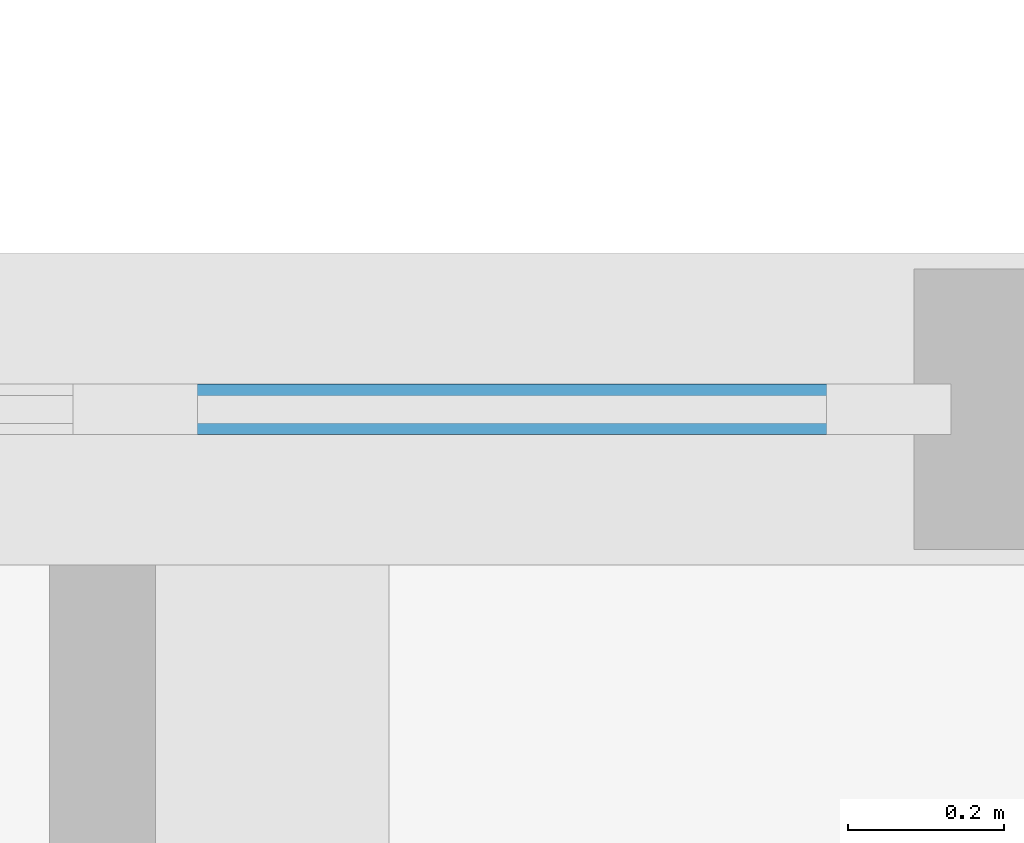
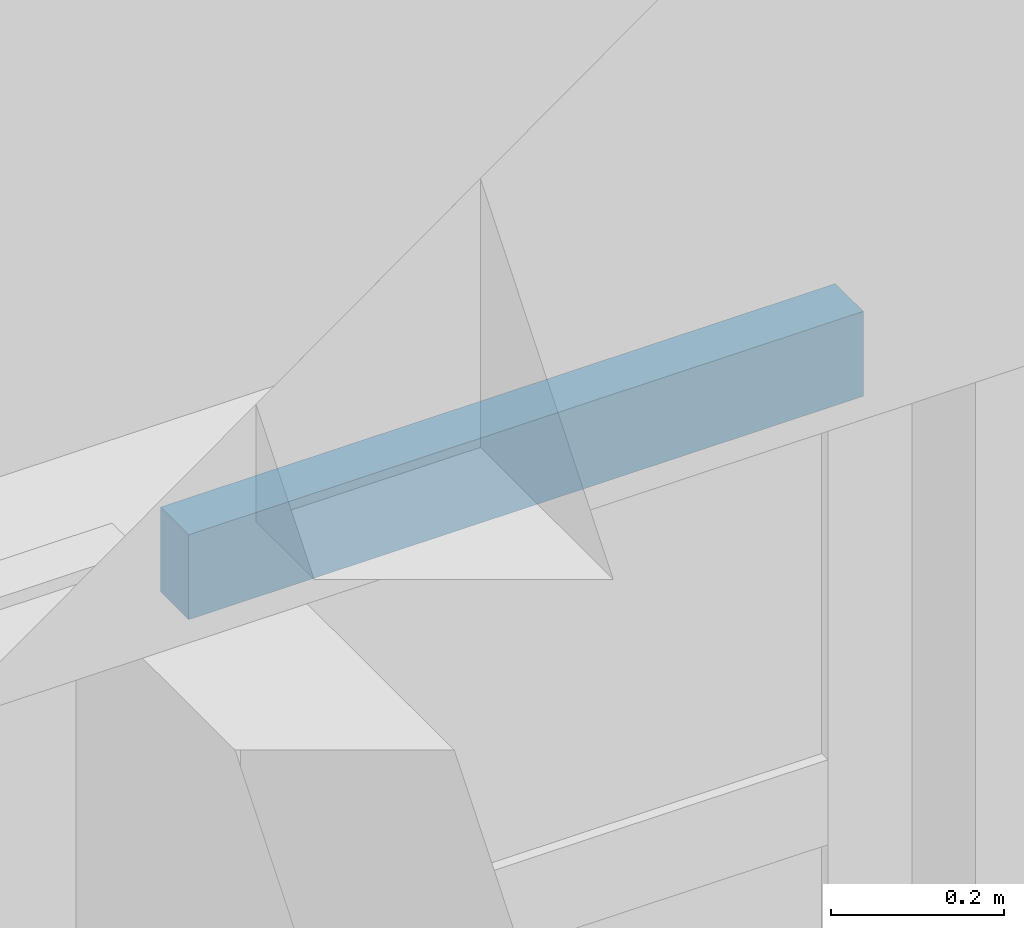
# One storey, part 48 of 93: 1 member, 1 element without a shape of its own.
"""IFC4 building model written with IfcOpenShell, lengths in metres."""

from ifc_helpers import new_model, si_unit, direction, frame, origin, origin_2d, place, context, subcontext, project, spatial, rectangle, extrude, material, layer, layer_set, material_profile, profile_set, type_object, element, aggregate, save


model = new_model("IFC4")

# Units and contexts
model_context = context("Model", 3, precision=1e-05, world=origin(), true_north=direction((0.0, 1.0)))
body_context = subcontext(model_context, "Body", "Model", "MODEL_VIEW")
ifc_project = project(units=[si_unit("LENGTHUNIT", "METRE"), si_unit("AREAUNIT", "SQUARE_METRE"), si_unit("VOLUMEUNIT", "CUBIC_METRE"), si_unit("PLANEANGLEUNIT", "RADIAN"), si_unit("MASSUNIT", "GRAM", prefix="KILO")], contexts=[model_context])

# Site, building, storey
site_placement = place(None, origin())
site = spatial("IfcSite", under=ifc_project, at=site_placement, CompositionType="ELEMENT")
building_placement = place(site_placement, origin())
building = spatial("IfcBuilding", under=site, at=building_placement, Name="Koriwan Promenade Central Fire Station", CompositionType="ELEMENT")
storey_placement = place(building_placement, origin())
storey = spatial("IfcBuildingStorey", under=building, at=storey_placement, Name="L00", CompositionType="ELEMENT", Elevation=0.0)

# Curtain wall, member
ifc_material_1 = material(Name="Aluminium EN AW-6063-T6 and low-E glazing", Category="aluminium")
ifc_layer = layer(ifc_material_1, 0.159912109375, Name="Aluminium EN AW-6063-T6 and low-E glazing")
ifc_layer_set = layer_set([ifc_layer], Name="Aluminium EN AW-6063-T6 and low-E glazing")
curtain_wall_type = type_object("IfcCurtainWallType", Name="CurtainWall_55_300x445", PredefinedType="USERDEFINED", material=ifc_layer_set)
curtain_wall_placement = place(storey_placement, origin())
curtain_wall = element("IfcCurtainWall", 1, at=curtain_wall_placement, inside=storey, type_object=curtain_wall_type, Name="V5 L00 unitised curtain wall 147", ObjectType="UNITISED CURTAIN WALL", PredefinedType="USERDEFINED")
ifc_material_2 = material(Name="Aluminium EN AW-6063-T6", Category="aluminium")
ifc_material_profile = material_profile(ifc_material_2, rectangle(XDim=0.06494140625, YDim=0.1201171875, at=origin_2d()), Name="ALU-TRN-65x120")
ifc_profile_set = profile_set([ifc_material_profile], Name="Aluminium EN AW-6063-T6")
member_type = type_object("IfcMemberType", Name="CWTransom_ALU-TRN-65x120", PredefinedType="USERDEFINED", material=ifc_profile_set)
member_placement = place(storey_placement, frame((168.032470703125, 79.199951171875, 4.41748046875), z_axis=(1.0, 0.0, 0.0), x_axis=(0.0, 1.0, 0.0)))
member = element("IfcMember", 2, at=member_placement, type_object=member_type, Name="CW-55 transom 3.4", ObjectType="TRANSOM", PredefinedType="USERDEFINED", context=body_context, shape_type="SweptSolid", body=[
    extrude(rectangle(XDim=0.06494140625, YDim=0.1201171875, at=origin_2d()), origin(), (0.0, 0.0, 1.0), 0.902587890625),
])
aggregate(curtain_wall, [member])

save(model, "model.ifc")
